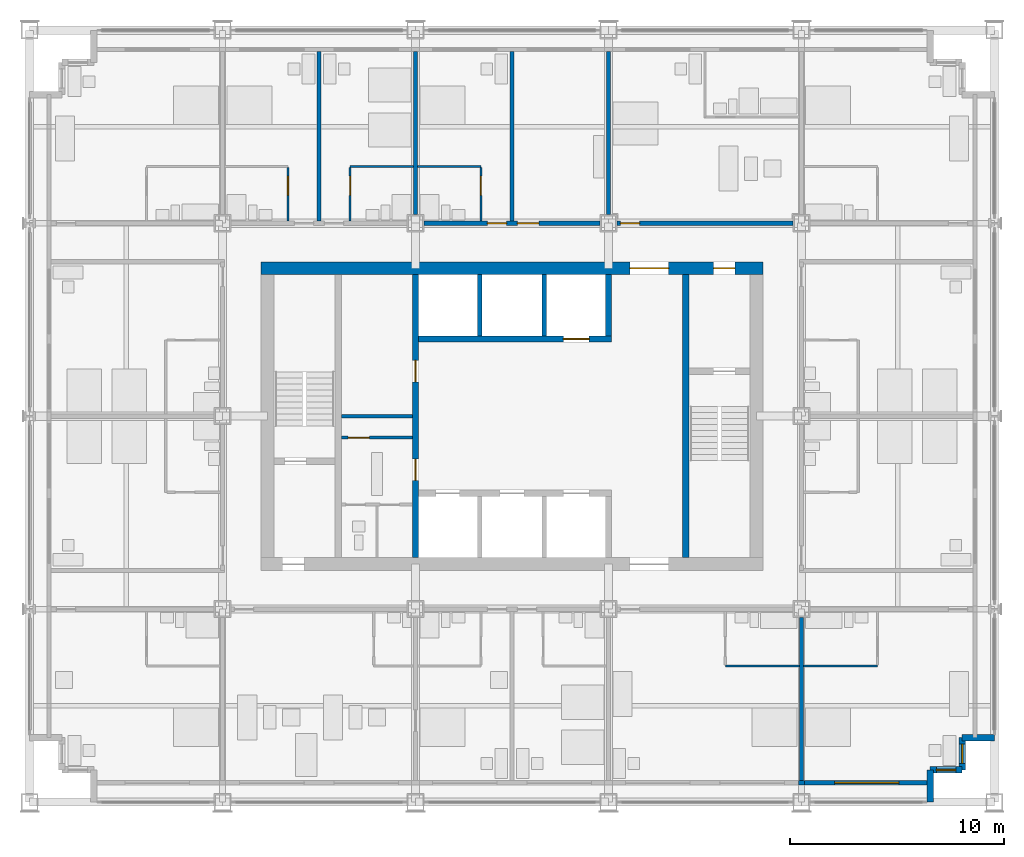
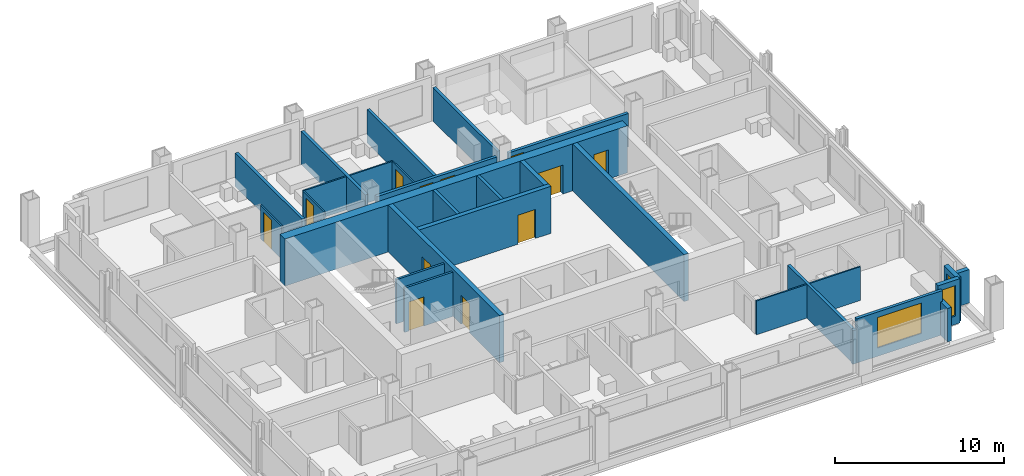
# One storey, part 11 of 16: 29 walls, 12 doors, 3 windows, 15 openings.
"""IFC4 building model written with IfcOpenShell, lengths in metres."""

from ifc_helpers import new_model, si_unit, direction, frame, frame_2d, origin, place, context, subcontext, project, spatial, rectangle, extrude, material, layer, layer_set, type_object, element, fill, save


model = new_model("IFC4")

# Units and contexts
model_context = context("Model", 3, precision=1e-05, world=origin(), true_north=direction((0.0, 1.0)))
body_context = subcontext(model_context, "Body", "Model", "MODEL_VIEW")
ifc_project = project(units=[si_unit("LENGTHUNIT", "METRE"), si_unit("AREAUNIT", "SQUARE_METRE"), si_unit("VOLUMEUNIT", "CUBIC_METRE"), si_unit("PLANEANGLEUNIT", "RADIAN"), si_unit("MASSUNIT", "GRAM", prefix="KILO")], contexts=[model_context])

# Site, building, storey
site_placement = place(None, origin())
site = spatial("IfcSite", under=ifc_project, at=site_placement, CompositionType="ELEMENT")
building_placement = place(site_placement, origin())
building = spatial("IfcBuilding", under=site, at=building_placement, Name="Loomwork Tower", CompositionType="ELEMENT")
storey_placement = place(building_placement, frame((0.0, 0.0, 135.0)))
storey = spatial("IfcBuildingStorey", under=building, at=storey_placement, Name="L36", CompositionType="ELEMENT", Elevation=135.0)

# Wall, openings, doors
ifc_material_1 = material(Name="Concrete 14000 psi (97 MPa)", Category="concrete")
ifc_layer_1 = layer(ifc_material_1, 0.300048828125)
ifc_layer_set_1 = layer_set([ifc_layer_1], Name="Core shear wall 300")
wall_type_1 = type_object("IfcWallType", Name="Core shear wall 300", PredefinedType="SHEAR", material=ifc_layer_set_1)
wall_1_placement = place(storey_placement, frame((18.0, 11.39990234375, 0.0), z_axis=(0.0, 0.0, 1.0), x_axis=(0.0, 1.0, 0.0)))
wall_1 = element("IfcWall", 1, at=wall_1_placement, inside=storey, type_object=wall_type_1, Name="Lobby west wall L36", PredefinedType="SHEAR", context=body_context, shape_type="SweptSolid", body=[
    extrude(rectangle(XDim=13.2001953125, YDim=0.300048828125, at=frame_2d((6.60009765625, 0.0))), origin(), (0.0, 0.0, 1.0), 3.39990234375),
])
opening_1_placement = place(wall_1_placement, frame((3.60009765625, 0.0, 0.0)))
opening_1 = element("IfcOpeningElement", 2, at=opening_1_placement, cuts=wall_1, Name="Opening D5", PredefinedType="OPENING", context=body_context, shape_type="SweptSolid", body=[
    extrude(rectangle(XDim=1.0, YDim=2.10009765625, at=frame_2d((0.5, 1.050048828125))), frame((0.0, 0.159912109375, 0.0), z_axis=(0.0, -1.0, 0.0), x_axis=(1.0, 0.0, 0.0)), (0.0, 0.0, 1.0), 0.320068359375),
])
opening_2_placement = place(wall_1_placement, frame((8.199951171875, 0.0, 0.0)))
opening_2 = element("IfcOpeningElement", 3, at=opening_2_placement, cuts=wall_1, Name="Opening D5", PredefinedType="OPENING", context=body_context, shape_type="SweptSolid", body=[
    extrude(rectangle(XDim=1.0, YDim=2.10009765625, at=frame_2d((0.5, 1.050048828125))), frame((0.0, 0.159912109375, 0.0), z_axis=(0.0, -1.0, 0.0), x_axis=(1.0, 0.0, 0.0)), (0.0, 0.0, 1.0), 0.320068359375),
])
ifc_material_2 = material(Name="Hollow metal door and frame")
door_type_1 = type_object("IfcDoorType", Name="Service door 1000", OperationType="SINGLE_SWING_LEFT", PredefinedType="DOOR", material=ifc_material_2)
door_1_placement = place(opening_1_placement, origin())
door_1 = element("IfcDoor", 4, at=door_1_placement, inside=storey, type_object=door_type_1, Name="Back-of-house door south", OperationType="SINGLE_SWING_LEFT", OverallHeight=2.10009765625, OverallWidth=1.0, PredefinedType="DOOR", context=body_context, shape_type="SweptSolid", body=[
    extrude(rectangle(XDim=1.0, YDim=2.10009765625, at=frame_2d((0.5, 1.050048828125))), frame((0.0, 0.02490234375, 0.0), z_axis=(0.0, -1.0, 0.0), x_axis=(1.0, 0.0, 0.0)), (0.0, 0.0, 1.0), 0.050048828125),
])
fill(opening_1, door_1)
door_2_placement = place(opening_2_placement, origin())
door_2 = element("IfcDoor", 5, at=door_2_placement, inside=storey, type_object=door_type_1, Name="Back-of-house door north", OperationType="SINGLE_SWING_RIGHT", OverallHeight=2.10009765625, OverallWidth=1.0, PredefinedType="DOOR", context=body_context, shape_type="SweptSolid", body=[
    extrude(rectangle(XDim=1.0, YDim=2.10009765625, at=frame_2d((0.5, 1.050048828125))), frame((0.0, 0.02490234375, 0.0), z_axis=(0.0, -1.0, 0.0), x_axis=(1.0, 0.0, 0.0)), (0.0, 0.0, 1.0), 0.050048828125),
])
fill(opening_2, door_2)

# Wall, opening, door
wall_2_placement = place(storey_placement, frame((18.14990234375, 21.60009765625, 0.0), z_axis=(0.0, 0.0, 1.0), x_axis=(1.0, 0.0, 0.0)))
wall_2 = element("IfcWall", 6, at=wall_2_placement, inside=storey, type_object=wall_type_1, Name="Lift front wall north L36", PredefinedType="SHEAR", context=body_context, shape_type="SweptSolid", body=[
    extrude(rectangle(XDim=9.0, YDim=0.300048828125, at=frame_2d((4.5, 0.0))), origin(), (0.0, 0.0, 1.0), 3.39990234375),
])
opening_3_placement = place(wall_2_placement, frame((6.75, 0.0, 0.0)))
opening_3 = element("IfcOpeningElement", 7, at=opening_3_placement, cuts=wall_2, Name="Opening LD2", PredefinedType="OPENING", context=body_context, shape_type="SweptSolid", body=[
    extrude(rectangle(XDim=1.199951171875, YDim=2.10009765625, at=frame_2d((0.60009765625, 1.050048828125))), frame((0.0, 0.159912109375, 0.0), z_axis=(0.0, -1.0, 0.0), x_axis=(1.0, 0.0, 0.0)), (0.0, 0.0, 1.0), 0.320068359375),
])
ifc_material_3 = material(Name="Hollow metal door and frame")
door_type_2 = type_object("IfcDoorType", Name="Lift landing door 1200", OperationType="SLIDING_TO_LEFT", PredefinedType="DOOR", material=ifc_material_3)
door_3_placement = place(opening_3_placement, origin())
door_3 = element("IfcDoor", 8, at=door_3_placement, inside=storey, type_object=door_type_2, Name="Lift landing door LF2", OperationType="SLIDING_TO_LEFT", OverallHeight=2.10009765625, OverallWidth=1.199951171875, PredefinedType="DOOR", context=body_context, shape_type="SweptSolid", body=[
    extrude(rectangle(XDim=1.199951171875, YDim=2.10009765625, at=frame_2d((0.60009765625, 1.050048828125))), frame((0.0, 0.02490234375, 0.0), z_axis=(0.0, -1.0, 0.0), x_axis=(1.0, 0.0, 0.0)), (0.0, 0.0, 1.0), 0.050048828125),
])
fill(opening_3, door_3)

# Walls
wall_3_placement = place(storey_placement, frame((27.0, 21.75, 0.0), z_axis=(0.0, 0.0, 1.0), x_axis=(0.0, 1.0, 0.0)))
element("IfcWall", 9, at=wall_3_placement, inside=storey, type_object=wall_type_1, Name="Lift shaft end wall north L36", PredefinedType="SHEAR", context=body_context, shape_type="SweptSolid", body=[
    extrude(rectangle(XDim=2.85009765625, YDim=0.300048828125, at=frame_2d((1.425048828125, 0.0))), origin(), (0.0, 0.0, 1.0), 3.39990234375),
])
wall_4_placement = place(storey_placement, frame((30.60009765625, 11.39990234375, 0.0), z_axis=(0.0, 0.0, 1.0), x_axis=(0.0, 1.0, 0.0)))
element("IfcWall", 10, at=wall_4_placement, inside=storey, type_object=wall_type_1, Name="Stair B west wall L36", PredefinedType="SHEAR", context=body_context, shape_type="SweptSolid", body=[
    extrude(rectangle(XDim=13.2001953125, YDim=0.300048828125, at=frame_2d((6.60009765625, 0.0))), origin(), (0.0, 0.0, 1.0), 3.39990234375),
])

# Wall, openings, doors
ifc_material_4 = material(Name="Concrete 14000 psi (97 MPa)", Category="concrete")
ifc_layer_2 = layer(ifc_material_4, 0.60009765625)
ifc_layer_set_2 = layer_set([ifc_layer_2], Name="Core shear wall 600")
wall_type_2 = type_object("IfcWallType", Name="Core shear wall 600", PredefinedType="SHEAR", material=ifc_layer_set_2)
wall_5_placement = place(storey_placement, frame((10.800048828125, 24.89990234375, 0.0), z_axis=(0.0, 0.0, 1.0), x_axis=(1.0, 0.0, 0.0)))
wall_5 = element("IfcWall", 11, at=wall_5_placement, inside=storey, type_object=wall_type_2, Name="Core wall north L36", PredefinedType="SHEAR", context=body_context, shape_type="SweptSolid", body=[
    extrude(rectangle(XDim=23.39990234375, YDim=0.60009765625, at=frame_2d((11.699951171875, 0.0))), origin(), (0.0, 0.0, 1.0), 3.39990234375),
])
opening_4_placement = place(wall_5_placement, frame((17.199951171875, 0.0, 0.0)))
opening_4 = element("IfcOpeningElement", 12, at=opening_4_placement, cuts=wall_5, Name="Opening D6", PredefinedType="OPENING", context=body_context, shape_type="SweptSolid", body=[
    extrude(rectangle(XDim=1.800048828125, YDim=2.10009765625, at=frame_2d((0.89990234375, 1.050048828125))), frame((0.0, 0.31005859375, 0.0), z_axis=(0.0, -1.0, 0.0), x_axis=(1.0, 0.0, 0.0)), (0.0, 0.0, 1.0), 0.6201171875),
])
opening_5_placement = place(wall_5_placement, frame((21.10009765625, 0.0, 0.0)))
opening_5 = element("IfcOpeningElement", 13, at=opening_5_placement, cuts=wall_5, Name="Opening D4", PredefinedType="OPENING", context=body_context, shape_type="SweptSolid", body=[
    extrude(rectangle(XDim=1.0, YDim=2.10009765625, at=frame_2d((0.5, 1.050048828125))), frame((0.0, 0.31005859375, 0.0), z_axis=(0.0, -1.0, 0.0), x_axis=(1.0, 0.0, 0.0)), (0.0, 0.0, 1.0), 0.6201171875),
])
ifc_material_5 = material(Name="Hollow metal door and frame")
door_type_3 = type_object("IfcDoorType", Name="Lobby passage double door 1800", OperationType="DOUBLE_DOOR_SINGLE_SWING", PredefinedType="DOOR", material=ifc_material_5)
door_4_placement = place(opening_4_placement, frame((1.800048828125, 0.0, 0.0), z_axis=(0.0, 0.0, 1.0), x_axis=(-1.0, 0.0, 0.0)))
door_4 = element("IfcDoor", 14, at=door_4_placement, inside=storey, type_object=door_type_3, Name="Lobby passage door north", OperationType="DOUBLE_DOOR_SINGLE_SWING", OverallHeight=2.10009765625, OverallWidth=1.800048828125, PredefinedType="DOOR", context=body_context, shape_type="SweptSolid", body=[
    extrude(rectangle(XDim=1.800048828125, YDim=2.10009765625, at=frame_2d((0.89990234375, 1.050048828125))), frame((0.0, 0.02490234375, 0.0), z_axis=(0.0, -1.0, 0.0), x_axis=(1.0, 0.0, 0.0)), (0.0, 0.0, 1.0), 0.050048828125),
])
fill(opening_4, door_4)
ifc_material_6 = material(Name="Hollow metal door and frame")
door_type_4 = type_object("IfcDoorType", Name="Stair door 1000", OperationType="SINGLE_SWING_RIGHT", PredefinedType="DOOR", material=ifc_material_6)
door_5_placement = place(opening_5_placement, frame((1.0, 0.0, 0.0), z_axis=(0.0, 0.0, 1.0), x_axis=(-1.0, 0.0, 0.0)))
door_5 = element("IfcDoor", 15, at=door_5_placement, inside=storey, type_object=door_type_4, Name="Stair B vestibule door", OperationType="SINGLE_SWING_LEFT", OverallHeight=2.10009765625, OverallWidth=1.0, PredefinedType="DOOR", context=body_context, shape_type="SweptSolid", body=[
    extrude(rectangle(XDim=1.0, YDim=2.10009765625, at=frame_2d((0.5, 1.050048828125))), frame((0.0, 0.02490234375, 0.0), z_axis=(0.0, -1.0, 0.0), x_axis=(1.0, 0.0, 0.0)), (0.0, 0.0, 1.0), 0.050048828125),
])
fill(opening_5, door_5)

ifc_material_7 = material(Name="Gypsum board on steel studs, one-hour", Category="steel")
ifc_layer_3 = layer(ifc_material_7, 0.199951171875)
ifc_layer_set_3 = layer_set([ifc_layer_3], Name="Corridor wall 200")
wall_type_3 = type_object("IfcWallType", Name="Corridor wall 200", PredefinedType="PARTITIONING", material=ifc_layer_set_3)
wall_6_placement = place(storey_placement, frame((18.39990234375, 27.0, 0.0), z_axis=(0.0, 0.0, 1.0), x_axis=(1.0, 0.0, 0.0)))
wall_6 = element("IfcWall", 16, at=wall_6_placement, inside=storey, type_object=wall_type_3, Name="North corridor wall 3", PredefinedType="PARTITIONING", context=body_context, shape_type="SweptSolid", body=[
    extrude(rectangle(XDim=8.2001953125, YDim=0.199951171875, at=frame_2d((4.10009765625, 0.0))), origin(), (0.0, 0.0, 1.0), 2.405029296875),
])
opening_6_placement = place(wall_6_placement, frame((2.949951171875, 0.0, 0.0)))
opening_6 = element("IfcOpeningElement", 17, at=opening_6_placement, cuts=wall_6, Name="Opening D1", PredefinedType="OPENING", context=body_context, shape_type="SweptSolid", body=[
    extrude(rectangle(XDim=0.89990234375, YDim=2.10009765625, at=frame_2d((0.449951171875, 1.050048828125))), frame((0.0, 0.10986328125, 0.0), z_axis=(0.0, -1.0, 0.0), x_axis=(1.0, 0.0, 0.0)), (0.0, 0.0, 1.0), 0.219970703125),
])
opening_7_placement = place(wall_6_placement, frame((4.35009765625, 0.0, 0.0)))
opening_7 = element("IfcOpeningElement", 18, at=opening_7_placement, cuts=wall_6, Name="Opening D15", PredefinedType="OPENING", context=body_context, shape_type="SweptSolid", body=[
    extrude(rectangle(XDim=1.0, YDim=2.10009765625, at=frame_2d((0.5, 1.050048828125))), frame((0.0, 0.10986328125, 0.0), z_axis=(0.0, -1.0, 0.0), x_axis=(1.0, 0.0, 0.0)), (0.0, 0.0, 1.0), 0.219970703125),
])
ifc_material_8 = material(Name="Hollow metal door and frame")
door_type_5 = type_object("IfcDoorType", Name="Fire-rated room door 1000", OperationType="SINGLE_SWING_LEFT", PredefinedType="DOOR", material=ifc_material_8)
door_6_placement = place(opening_7_placement, origin())
door_6 = element("IfcDoor", 19, at=door_6_placement, inside=storey, type_object=door_type_5, Name="Housekeeping pantry door L36 11", OperationType="SINGLE_SWING_LEFT", OverallHeight=2.10009765625, OverallWidth=1.0, PredefinedType="DOOR", context=body_context, shape_type="SweptSolid", body=[
    extrude(rectangle(XDim=1.0, YDim=2.10009765625, at=frame_2d((0.5, 1.050048828125))), frame((0.0, 0.02490234375, 0.0), z_axis=(0.0, -1.0, 0.0), x_axis=(1.0, 0.0, 0.0)), (0.0, 0.0, 1.0), 0.050048828125),
])
fill(opening_7, door_6)
ifc_material_9 = material(Name="Hollow metal door and frame")
door_type_6 = type_object("IfcDoorType", Name="Guest room entry door 900", OperationType="SINGLE_SWING_LEFT", PredefinedType="DOOR", material=ifc_material_9)
door_7_placement = place(opening_6_placement, origin())
door_7 = element("IfcDoor", 20, at=door_7_placement, inside=storey, type_object=door_type_6, Name="Guest room entry door L36 10", OperationType="SINGLE_SWING_RIGHT", OverallHeight=2.10009765625, OverallWidth=0.89990234375, PredefinedType="DOOR", context=body_context, shape_type="SweptSolid", body=[
    extrude(rectangle(XDim=0.89990234375, YDim=2.10009765625, at=frame_2d((0.449951171875, 1.050048828125))), frame((0.0, 0.02490234375, 0.0), z_axis=(0.0, -1.0, 0.0), x_axis=(1.0, 0.0, 0.0)), (0.0, 0.0, 1.0), 0.050048828125),
])
fill(opening_6, door_7)

# Wall, opening, door
wall_7_placement = place(storey_placement, frame((27.39990234375, 27.0, 0.0), z_axis=(0.0, 0.0, 1.0), x_axis=(1.0, 0.0, 0.0)))
wall_7 = element("IfcWall", 21, at=wall_7_placement, inside=storey, type_object=wall_type_3, Name="North corridor wall 4", PredefinedType="PARTITIONING", context=body_context, shape_type="SweptSolid", body=[
    extrude(rectangle(XDim=8.2001953125, YDim=0.199951171875, at=frame_2d((4.10009765625, 0.0))), origin(), (0.0, 0.0, 1.0), 2.405029296875),
])
opening_8_placement = place(wall_7_placement, frame((0.14990234375, 0.0, 0.0)))
opening_8 = element("IfcOpeningElement", 22, at=opening_8_placement, cuts=wall_7, Name="Opening D1", PredefinedType="OPENING", context=body_context, shape_type="SweptSolid", body=[
    extrude(rectangle(XDim=0.89990234375, YDim=2.10009765625, at=frame_2d((0.449951171875, 1.050048828125))), frame((0.0, 0.10986328125, 0.0), z_axis=(0.0, -1.0, 0.0), x_axis=(1.0, 0.0, 0.0)), (0.0, 0.0, 1.0), 0.219970703125),
])
door_8_placement = place(opening_8_placement, origin())
door_8 = element("IfcDoor", 23, at=door_8_placement, inside=storey, type_object=door_type_6, Name="Guest room entry door L36 12", OperationType="SINGLE_SWING_LEFT", OverallHeight=2.10009765625, OverallWidth=0.89990234375, PredefinedType="DOOR", context=body_context, shape_type="SweptSolid", body=[
    extrude(rectangle(XDim=0.89990234375, YDim=2.10009765625, at=frame_2d((0.449951171875, 1.050048828125))), frame((0.0, 0.02490234375, 0.0), z_axis=(0.0, -1.0, 0.0), x_axis=(1.0, 0.0, 0.0)), (0.0, 0.0, 1.0), 0.050048828125),
])
fill(opening_8, door_8)

# Walls
ifc_material_10 = material(Name="Cement board on steel studs", Category="steel")
ifc_layer_4 = layer(ifc_material_10, 0.10009765625)
ifc_layer_set_4 = layer_set([ifc_layer_4], Name="En-suite partition 100")
wall_type_4 = type_object("IfcWallType", Name="En-suite partition 100", PredefinedType="PARTITIONING", material=ifc_layer_set_4)
for number, where, z_axis, x_axis, name in (
    (24, (32.449951171875, 6.35009765625, 0.0), (0.0, 0.0, 1.0), (1.0, 0.0, 0.0), "En-suite wall L36 room 5"),
    (25, (36.10009765625, 6.35009765625, 0.0), (0.0, 0.0, 1.0), (1.0, 0.0, 0.0), "En-suite wall L36 room 6"),
):
    element("IfcWall", number, at=place(storey_placement, frame(where, z_axis=z_axis, x_axis=x_axis)), inside=storey, type_object=wall_type_4, Name=name, PredefinedType="PARTITIONING", context=body_context, shape_type="SweptSolid", body=[
        extrude(rectangle(XDim=3.449951171875, YDim=0.10009765625, at=frame_2d((1.72509765625, 0.0))), origin(), (0.0, 0.0, 1.0), 2.43798828125),
    ])

# Wall, opening, door
wall_8_placement = place(storey_placement, frame((12.050048828125, 27.10009765625, 0.0), z_axis=(0.0, 0.0, 1.0), x_axis=(0.0, 1.0, 0.0)))
wall_8 = element("IfcWall", 26, at=wall_8_placement, inside=storey, type_object=wall_type_4, Name="En-suite side wall L36 room 8", PredefinedType="PARTITIONING", context=body_context, shape_type="SweptSolid", body=[
    extrude(rectangle(XDim=2.5, YDim=0.10009765625, at=frame_2d((1.25, 0.0))), origin(), (0.0, 0.0, 1.0), 2.404052734375),
])
opening_9_placement = place(wall_8_placement, frame((1.199951171875, 0.0, 0.0)))
opening_9 = element("IfcOpeningElement", 27, at=opening_9_placement, cuts=wall_8, Name="Opening D2", PredefinedType="OPENING", context=body_context, shape_type="SweptSolid", body=[
    extrude(rectangle(XDim=0.89990234375, YDim=2.10009765625, at=frame_2d((0.449951171875, 1.050048828125))), frame((0.0, 0.06005859375, 0.0), z_axis=(0.0, -1.0, 0.0), x_axis=(1.0, 0.0, 0.0)), (0.0, 0.0, 1.0), 0.1201171875),
])
ifc_material_11 = material(Name="Hollow metal door and frame")
door_type_7 = type_object("IfcDoorType", Name="En-suite door 900", OperationType="SINGLE_SWING_LEFT", PredefinedType="DOOR", material=ifc_material_11)
door_9_placement = place(opening_9_placement, origin())
door_9 = element("IfcDoor", 28, at=door_9_placement, inside=storey, type_object=door_type_7, Name="En-suite door room 8", OperationType="SINGLE_SWING_RIGHT", OverallHeight=2.10009765625, OverallWidth=0.89990234375, PredefinedType="DOOR", context=body_context, shape_type="SweptSolid", body=[
    extrude(rectangle(XDim=0.89990234375, YDim=2.10009765625, at=frame_2d((0.449951171875, 1.050048828125))), frame((0.0, 0.02490234375, 0.0), z_axis=(0.0, -1.0, 0.0), x_axis=(1.0, 0.0, 0.0)), (0.0, 0.0, 1.0), 0.050048828125),
])
fill(opening_9, door_9)

# Wall
wall_9_placement = place(storey_placement, frame((14.949951171875, 29.64990234375, 0.0), z_axis=(0.0, 0.0, 1.0), x_axis=(1.0, 0.0, 0.0)))
element("IfcWall", 29, at=wall_9_placement, inside=storey, type_object=wall_type_4, Name="En-suite wall L36 room 9", PredefinedType="PARTITIONING", context=body_context, shape_type="SweptSolid", body=[
    extrude(rectangle(XDim=2.949951171875, YDim=0.10009765625, at=frame_2d((1.47509765625, 0.0))), origin(), (0.0, 0.0, 1.0), 2.404052734375),
])

# Wall, opening, door
wall_10_placement = place(storey_placement, frame((14.949951171875, 27.10009765625, 0.0), z_axis=(0.0, 0.0, 1.0), x_axis=(0.0, 1.0, 0.0)))
wall_10 = element("IfcWall", 30, at=wall_10_placement, inside=storey, type_object=wall_type_4, Name="En-suite side wall L36 room 9", PredefinedType="PARTITIONING", context=body_context, shape_type="SweptSolid", body=[
    extrude(rectangle(XDim=2.5, YDim=0.10009765625, at=frame_2d((1.25, 0.0))), origin(), (0.0, 0.0, 1.0), 2.404052734375),
])
opening_10_placement = place(wall_10_placement, frame((1.199951171875, 0.0, 0.0)))
opening_10 = element("IfcOpeningElement", 31, at=opening_10_placement, cuts=wall_10, Name="Opening D2", PredefinedType="OPENING", context=body_context, shape_type="SweptSolid", body=[
    extrude(rectangle(XDim=0.89990234375, YDim=2.10009765625, at=frame_2d((0.449951171875, 1.050048828125))), frame((0.0, 0.06005859375, 0.0), z_axis=(0.0, -1.0, 0.0), x_axis=(1.0, 0.0, 0.0)), (0.0, 0.0, 1.0), 0.1201171875),
])
door_10_placement = place(opening_10_placement, frame((0.89990234375, 0.0, 0.0), z_axis=(0.0, 0.0, 1.0), x_axis=(-1.0, 0.0, 0.0)))
door_10 = element("IfcDoor", 32, at=door_10_placement, inside=storey, type_object=door_type_7, Name="En-suite door room 9", OperationType="SINGLE_SWING_LEFT", OverallHeight=2.10009765625, OverallWidth=0.89990234375, PredefinedType="DOOR", context=body_context, shape_type="SweptSolid", body=[
    extrude(rectangle(XDim=0.89990234375, YDim=2.10009765625, at=frame_2d((0.449951171875, 1.050048828125))), frame((0.0, 0.02490234375, 0.0), z_axis=(0.0, -1.0, 0.0), x_axis=(1.0, 0.0, 0.0)), (0.0, 0.0, 1.0), 0.050048828125),
])
fill(opening_10, door_10)

# Wall
wall_11_placement = place(storey_placement, frame((18.10009765625, 29.64990234375, 0.0), z_axis=(0.0, 0.0, 1.0), x_axis=(1.0, 0.0, 0.0)))
element("IfcWall", 33, at=wall_11_placement, inside=storey, type_object=wall_type_4, Name="En-suite wall L36 room 10", PredefinedType="PARTITIONING", context=body_context, shape_type="SweptSolid", body=[
    extrude(rectangle(XDim=2.949951171875, YDim=0.10009765625, at=frame_2d((1.47509765625, 0.0))), origin(), (0.0, 0.0, 1.0), 2.404052734375),
])

# Wall, opening, door
wall_12_placement = place(storey_placement, frame((21.050048828125, 27.10009765625, 0.0), z_axis=(0.0, 0.0, 1.0), x_axis=(0.0, 1.0, 0.0)))
wall_12 = element("IfcWall", 34, at=wall_12_placement, inside=storey, type_object=wall_type_4, Name="En-suite side wall L36 room 10", PredefinedType="PARTITIONING", context=body_context, shape_type="SweptSolid", body=[
    extrude(rectangle(XDim=2.5, YDim=0.10009765625, at=frame_2d((1.25, 0.0))), origin(), (0.0, 0.0, 1.0), 2.404052734375),
])
opening_11_placement = place(wall_12_placement, frame((1.199951171875, 0.0, 0.0)))
opening_11 = element("IfcOpeningElement", 35, at=opening_11_placement, cuts=wall_12, Name="Opening D2", PredefinedType="OPENING", context=body_context, shape_type="SweptSolid", body=[
    extrude(rectangle(XDim=0.89990234375, YDim=2.10009765625, at=frame_2d((0.449951171875, 1.050048828125))), frame((0.0, 0.06005859375, 0.0), z_axis=(0.0, -1.0, 0.0), x_axis=(1.0, 0.0, 0.0)), (0.0, 0.0, 1.0), 0.1201171875),
])
door_11_placement = place(opening_11_placement, origin())
door_11 = element("IfcDoor", 36, at=door_11_placement, inside=storey, type_object=door_type_7, Name="En-suite door room 10", OperationType="SINGLE_SWING_RIGHT", OverallHeight=2.10009765625, OverallWidth=0.89990234375, PredefinedType="DOOR", context=body_context, shape_type="SweptSolid", body=[
    extrude(rectangle(XDim=0.89990234375, YDim=2.10009765625, at=frame_2d((0.449951171875, 1.050048828125))), frame((0.0, 0.02490234375, 0.0), z_axis=(0.0, -1.0, 0.0), x_axis=(1.0, 0.0, 0.0)), (0.0, 0.0, 1.0), 0.050048828125),
])
fill(opening_11, door_11)

# Walls
ifc_material_12 = material(Name="Gypsum board on steel studs, acoustic", Category="steel")
ifc_layer_5 = layer(ifc_material_12, 0.199951171875)
ifc_layer_set_5 = layer_set([ifc_layer_5], Name="Guest room party wall 200")
wall_type_5 = type_object("IfcWallType", Name="Guest room party wall 200", PredefinedType="PARTITIONING", material=ifc_layer_set_5)
wall_13_placement = place(storey_placement, frame((36.0, 8.60009765625, 0.0), z_axis=(0.0, 0.0, 1.0), x_axis=(0.0, -1.0, 0.0)))
element("IfcWall", 37, at=wall_13_placement, inside=storey, type_object=wall_type_5, Name="Guest room party wall S 36", PredefinedType="PARTITIONING", context=body_context, shape_type="SweptSolid", body=[
    extrude(rectangle(XDim=7.60009765625, YDim=0.199951171875, at=frame_2d((3.800048828125, 0.0))), origin(), (0.0, 0.0, 1.0), 2.43798828125),
])
wall_14_placement = place(storey_placement, frame((13.5, 27.10009765625, 0.0), z_axis=(0.0, 0.0, 1.0), x_axis=(0.0, 1.0, 0.0)))
element("IfcWall", 38, at=wall_14_placement, inside=storey, type_object=wall_type_5, Name="Guest room party wall N 13.5", PredefinedType="PARTITIONING", context=body_context, shape_type="SweptSolid", body=[
    extrude(rectangle(XDim=7.89990234375, YDim=0.199951171875, at=frame_2d((3.949951171875, 0.0))), origin(), (0.0, 0.0, 1.0), 2.404052734375),
])
wall_15_placement = place(storey_placement, frame((18.0, 27.39990234375, 0.0), z_axis=(0.0, 0.0, 1.0), x_axis=(0.0, 1.0, 0.0)))
element("IfcWall", 39, at=wall_15_placement, inside=storey, type_object=wall_type_5, Name="Guest room party wall N 18", PredefinedType="PARTITIONING", context=body_context, shape_type="SweptSolid", body=[
    extrude(rectangle(XDim=7.60009765625, YDim=0.199951171875, at=frame_2d((3.800048828125, 0.0))), origin(), (0.0, 0.0, 1.0), 2.405029296875),
])
wall_16_placement = place(storey_placement, frame((22.5, 27.10009765625, 0.0), z_axis=(0.0, 0.0, 1.0), x_axis=(0.0, 1.0, 0.0)))
element("IfcWall", 40, at=wall_16_placement, inside=storey, type_object=wall_type_5, Name="Guest room party wall N 22.5", PredefinedType="PARTITIONING", context=body_context, shape_type="SweptSolid", body=[
    extrude(rectangle(XDim=7.89990234375, YDim=0.199951171875, at=frame_2d((3.949951171875, 0.0))), origin(), (0.0, 0.0, 1.0), 2.404052734375),
])
wall_17_placement = place(storey_placement, frame((27.0, 27.39990234375, 0.0), z_axis=(0.0, 0.0, 1.0), x_axis=(0.0, 1.0, 0.0)))
element("IfcWall", 41, at=wall_17_placement, inside=storey, type_object=wall_type_5, Name="Guest room party wall N 27", PredefinedType="PARTITIONING", context=body_context, shape_type="SweptSolid", body=[
    extrude(rectangle(XDim=7.60009765625, YDim=0.199951171875, at=frame_2d((3.800048828125, 0.0))), origin(), (0.0, 0.0, 1.0), 2.405029296875),
])
ifc_material_13 = material(Name="Insulated steel stud wall with gypsum lining", Category="steel")
ifc_layer_6 = layer(ifc_material_13, 0.199951171875)
ifc_layer_set_6 = layer_set([ifc_layer_6], Name="Inner skin wall 200")
wall_type_6 = type_object("IfcWallType", Name="Inner skin wall 200", PredefinedType="SOLIDWALL", material=ifc_layer_set_6)
wall_18_placement = place(storey_placement, frame((35.864501953125, 0.89990234375, 0.0), z_axis=(0.0, 0.0, 1.0), x_axis=(1.0, 0.0, 0.0)))
element("IfcWall", 42, at=wall_18_placement, inside=storey, type_object=wall_type_6, Name="Inner skin wall S bay 8", PredefinedType="SOLIDWALL", context=body_context, shape_type="SweptSolid", body=[
    extrude(rectangle(XDim=0.27099609375, YDim=0.199951171875, at=frame_2d((0.135498046875, 0.0))), origin(), (0.0, 0.0, 1.0), 2.43798828125),
])

# Wall, opening, window
wall_19_placement = place(storey_placement, frame((36.135498046875, 0.89990234375, 0.0), z_axis=(0.0, 0.0, 1.0), x_axis=(1.0, 0.0, 0.0)))
wall_19 = element("IfcWall", 43, at=wall_19_placement, inside=storey, type_object=wall_type_6, Name="Inner skin wall S bay 9", PredefinedType="SOLIDWALL", context=body_context, shape_type="SweptSolid", body=[
    extrude(rectangle(XDim=5.864501953125, YDim=0.199951171875, at=frame_2d((2.93212890625, 0.0))), origin(), (0.0, 0.0, 1.0), 3.199951171875),
])
opening_12_placement = place(wall_19_placement, frame((1.41455078125, 0.0, 0.60009765625)))
opening_12 = element("IfcOpeningElement", 44, at=opening_12_placement, cuts=wall_19, Name="Opening CH1", PredefinedType="OPENING", context=body_context, shape_type="SweptSolid", body=[
    extrude(rectangle(XDim=3.0, YDim=2.199951171875, at=frame_2d((1.5, 1.10009765625))), frame((0.0, 0.10986328125, 0.0), z_axis=(0.0, -1.0, 0.0), x_axis=(1.0, 0.0, 0.0)), (0.0, 0.0, 1.0), 0.219970703125),
])
ifc_material_14 = material(Name="Aluminium frame with clear insulated glass", Category="aluminium")
window_type_1 = type_object("IfcWindowType", Name="Chicago window 3000", PartitioningType="TRIPLE_PANEL_VERTICAL", PredefinedType="WINDOW", material=ifc_material_14)
window_1_placement = place(opening_12_placement, origin())
window_1 = element("IfcWindow", 45, at=window_1_placement, inside=storey, type_object=window_type_1, Name="Chicago window L36 bay 5", OverallHeight=2.199951171875, OverallWidth=3.0, PartitioningType="TRIPLE_PANEL_VERTICAL", PredefinedType="WINDOW", context=body_context, shape_type="SweptSolid", body=[
    extrude(rectangle(XDim=3.0, YDim=2.199951171875, at=frame_2d((1.5, 1.10009765625))), frame((0.0, 0.030029296875, 0.0), z_axis=(0.0, -1.0, 0.0), x_axis=(1.0, 0.0, 0.0)), (0.0, 0.0, 1.0), 0.06005859375),
])
fill(opening_12, window_1)

# Walls
ifc_material_15 = material(Name="Concrete 14000 psi (97 MPa)", Category="concrete")
ifc_layer_7 = layer(ifc_material_15, 0.199951171875)
ifc_layer_set_7 = layer_set([ifc_layer_7], Name="Lift shaft wall 200")
wall_type_7 = type_object("IfcWallType", Name="Lift shaft wall 200", PredefinedType="SHEAR", material=ifc_layer_set_7)
for number, where, z_axis, x_axis, name in (
    (46, (21.0, 21.75, 0.0), (0.0, 0.0, 1.0), (0.0, 1.0, 0.0), "Lift shaft separation wall north 1 L36"),
    (47, (24.0, 21.75, 0.0), (0.0, 0.0, 1.0), (0.0, 1.0, 0.0), "Lift shaft separation wall north 2 L36"),
):
    element("IfcWall", number, at=place(storey_placement, frame(where, z_axis=z_axis, x_axis=x_axis)), inside=storey, type_object=wall_type_7, Name=name, PredefinedType="SHEAR", context=body_context, shape_type="SweptSolid", body=[
        extrude(rectangle(XDim=2.85009765625, YDim=0.199951171875, at=frame_2d((1.425048828125, 0.0))), origin(), (0.0, 0.0, 1.0), 3.39990234375),
    ])
ifc_material_16 = material(Name="Limestone on concrete masonry", Category="masonry")
ifc_layer_8 = layer(ifc_material_16, 0.300048828125)
ifc_layer_set_8 = layer_set([ifc_layer_8], Name="Limestone corner wall 300")
wall_type_8 = type_object("IfcWallType", Name="Limestone corner wall 300", PredefinedType="SOLIDWALL", material=ifc_layer_set_8)
wall_20_placement = place(storey_placement, frame((42.0, 0.0, 0.0), z_axis=(0.0, 0.0, 1.0), x_axis=(0.0, 1.0, 0.0)))
element("IfcWall", 48, at=wall_20_placement, inside=storey, type_object=wall_type_8, Name="Stone corner wall SE 1", PredefinedType="SOLIDWALL", context=body_context, shape_type="SweptSolid", body=[
    extrude(rectangle(XDim=1.5, YDim=0.300048828125, at=frame_2d((0.75, 0.0))), origin(), (0.0, 0.0, 1.0), 2.419921875),
])

# Wall, opening, window
wall_21_placement = place(storey_placement, frame((42.0, 1.5, 0.0), z_axis=(0.0, 0.0, 1.0), x_axis=(1.0, 0.0, 0.0)))
wall_21 = element("IfcWall", 49, at=wall_21_placement, inside=storey, type_object=wall_type_8, Name="Stone corner wall SE 2", PredefinedType="SOLIDWALL", context=body_context, shape_type="SweptSolid", body=[
    extrude(rectangle(XDim=1.5, YDim=0.300048828125, at=frame_2d((0.75, 0.0))), origin(), (0.0, 0.0, 1.0), 3.199951171875),
])
opening_13_placement = place(wall_21_placement, frame((0.300048828125, 0.0, 0.60009765625)))
opening_13 = element("IfcOpeningElement", 50, at=opening_13_placement, cuts=wall_21, Name="Opening CH2", PredefinedType="OPENING", context=body_context, shape_type="SweptSolid", body=[
    extrude(rectangle(XDim=0.89990234375, YDim=2.199951171875, at=frame_2d((0.449951171875, 1.10009765625))), frame((0.0, 0.159912109375, 0.0), z_axis=(0.0, -1.0, 0.0), x_axis=(1.0, 0.0, 0.0)), (0.0, 0.0, 1.0), 0.320068359375),
])
ifc_material_17 = material(Name="Aluminium frame with clear insulated glass", Category="aluminium")
window_type_2 = type_object("IfcWindowType", Name="Corner window 900", PartitioningType="SINGLE_PANEL", PredefinedType="WINDOW", material=ifc_material_17)
window_2_placement = place(opening_13_placement, origin())
window_2 = element("IfcWindow", 51, at=window_2_placement, inside=storey, type_object=window_type_2, Name="Corner window SE", OverallHeight=2.199951171875, OverallWidth=0.89990234375, PartitioningType="SINGLE_PANEL", PredefinedType="WINDOW", context=body_context, shape_type="SweptSolid", body=[
    extrude(rectangle(XDim=0.89990234375, YDim=2.199951171875, at=frame_2d((0.449951171875, 1.10009765625))), frame((0.0, 0.030029296875, 0.0), z_axis=(0.0, -1.0, 0.0), x_axis=(1.0, 0.0, 0.0)), (0.0, 0.0, 1.0), 0.06005859375),
])
fill(opening_13, window_2)

wall_22_placement = place(storey_placement, frame((43.5, 1.5, 0.0), z_axis=(0.0, 0.0, 1.0), x_axis=(0.0, 1.0, 0.0)))
wall_22 = element("IfcWall", 52, at=wall_22_placement, inside=storey, type_object=wall_type_8, Name="Stone corner wall SE 3", PredefinedType="SOLIDWALL", context=body_context, shape_type="SweptSolid", body=[
    extrude(rectangle(XDim=1.5, YDim=0.300048828125, at=frame_2d((0.75, 0.0))), origin(), (0.0, 0.0, 1.0), 3.199951171875),
])
opening_14_placement = place(wall_22_placement, frame((0.300048828125, 0.0, 0.60009765625)))
opening_14 = element("IfcOpeningElement", 53, at=opening_14_placement, cuts=wall_22, Name="Opening CH2", PredefinedType="OPENING", context=body_context, shape_type="SweptSolid", body=[
    extrude(rectangle(XDim=0.89990234375, YDim=2.199951171875, at=frame_2d((0.449951171875, 1.10009765625))), frame((0.0, 0.159912109375, 0.0), z_axis=(0.0, -1.0, 0.0), x_axis=(1.0, 0.0, 0.0)), (0.0, 0.0, 1.0), 0.320068359375),
])
window_3_placement = place(opening_14_placement, origin())
window_3 = element("IfcWindow", 54, at=window_3_placement, inside=storey, type_object=window_type_2, Name="Corner window SE", OverallHeight=2.199951171875, OverallWidth=0.89990234375, PartitioningType="SINGLE_PANEL", PredefinedType="WINDOW", context=body_context, shape_type="SweptSolid", body=[
    extrude(rectangle(XDim=0.89990234375, YDim=2.199951171875, at=frame_2d((0.449951171875, 1.10009765625))), frame((0.0, 0.030029296875, 0.0), z_axis=(0.0, -1.0, 0.0), x_axis=(1.0, 0.0, 0.0)), (0.0, 0.0, 1.0), 0.06005859375),
])
fill(opening_14, window_3)

# Walls
wall_23_placement = place(storey_placement, frame((43.5, 3.0, 0.0), z_axis=(0.0, 0.0, 1.0), x_axis=(1.0, 0.0, 0.0)))
element("IfcWall", 55, at=wall_23_placement, inside=storey, type_object=wall_type_8, Name="Stone corner wall SE 4", PredefinedType="SOLIDWALL", context=body_context, shape_type="SweptSolid", body=[
    extrude(rectangle(XDim=1.5, YDim=0.300048828125, at=frame_2d((0.75, 0.0))), origin(), (0.0, 0.0, 1.0), 2.419921875),
])
ifc_material_18 = material(Name="Gypsum board on steel studs", Category="steel")
ifc_layer_9 = layer(ifc_material_18, 0.14990234375)
ifc_layer_set_9 = layer_set([ifc_layer_9], Name="Partition 150 two-hour")
wall_type_9 = type_object("IfcWallType", Name="Partition 150 two-hour", PredefinedType="PARTITIONING", material=ifc_layer_set_9)
wall_24_placement = place(storey_placement, frame((14.550048828125, 18.0, 0.0), z_axis=(0.0, 0.0, 1.0), x_axis=(1.0, 0.0, 0.0)))
element("IfcWall", 56, at=wall_24_placement, inside=storey, type_object=wall_type_9, Name="Back-of-house dividing wall L36", PredefinedType="PARTITIONING", context=body_context, shape_type="SweptSolid", body=[
    extrude(rectangle(XDim=3.300048828125, YDim=0.14990234375, at=frame_2d((1.64990234375, 0.0))), origin(), (0.0, 0.0, 1.0), 3.199951171875),
])

# Wall, opening, door
ifc_material_19 = material(Name="Gypsum board on steel studs, one-hour", Category="steel")
ifc_layer_10 = layer(ifc_material_19, 0.14990234375)
ifc_layer_set_10 = layer_set([ifc_layer_10], Name="Service partition 150")
wall_type_10 = type_object("IfcWallType", Name="Service partition 150", PredefinedType="PARTITIONING", material=ifc_layer_set_10)
wall_25_placement = place(storey_placement, frame((14.550048828125, 17.0, 0.0), z_axis=(0.0, 0.0, 1.0), x_axis=(1.0, 0.0, 0.0)))
wall_25 = element("IfcWall", 57, at=wall_25_placement, inside=storey, type_object=wall_type_10, Name="Riser enclosure L36", PredefinedType="PARTITIONING", context=body_context, shape_type="SweptSolid", body=[
    extrude(rectangle(XDim=3.300048828125, YDim=0.14990234375, at=frame_2d((1.64990234375, 0.0))), origin(), (0.0, 0.0, 1.0), 3.199951171875),
])
opening_15_placement = place(wall_25_placement, frame((0.300048828125, 0.0, 0.0)))
opening_15 = element("IfcOpeningElement", 58, at=opening_15_placement, cuts=wall_25, Name="Opening D18", PredefinedType="OPENING", context=body_context, shape_type="SweptSolid", body=[
    extrude(rectangle(XDim=1.0, YDim=2.10009765625, at=frame_2d((0.5, 1.050048828125))), frame((0.0, 0.0849609375, 0.0), z_axis=(0.0, -1.0, 0.0), x_axis=(1.0, 0.0, 0.0)), (0.0, 0.0, 1.0), 0.169921875),
])
ifc_material_20 = material(Name="Hollow metal door and frame")
door_type_8 = type_object("IfcDoorType", Name="Ninety-minute service door 1000", OperationType="SINGLE_SWING_LEFT", PredefinedType="DOOR", material=ifc_material_20)
door_12_placement = place(opening_15_placement, frame((1.0, 0.0, 0.0), z_axis=(0.0, 0.0, 1.0), x_axis=(-1.0, 0.0, 0.0)))
door_12 = element("IfcDoor", 59, at=door_12_placement, inside=storey, type_object=door_type_8, Name="Riser access door", OperationType="SINGLE_SWING_RIGHT", OverallHeight=2.10009765625, OverallWidth=1.0, PredefinedType="DOOR", context=body_context, shape_type="SweptSolid", body=[
    extrude(rectangle(XDim=1.0, YDim=2.10009765625, at=frame_2d((0.5, 1.050048828125))), frame((0.0, 0.02490234375, 0.0), z_axis=(0.0, -1.0, 0.0), x_axis=(1.0, 0.0, 0.0)), (0.0, 0.0, 1.0), 0.050048828125),
])
fill(opening_15, door_12)

save(model, "model.ifc")
